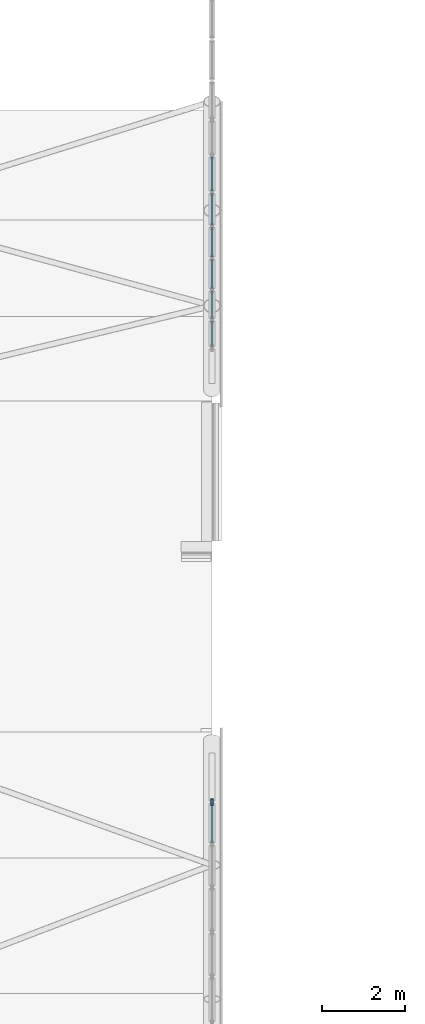
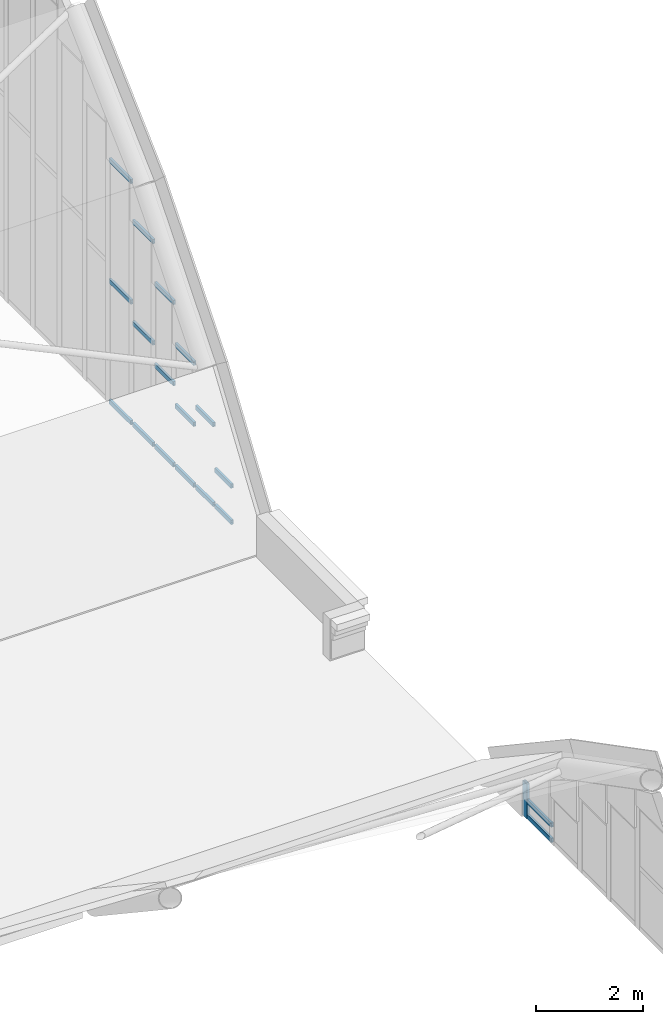
# One storey, part 48 of 77: 19 members, 2 elements without a shape of their own.
"""IFC4 building model written with IfcOpenShell, lengths in metres."""

from ifc_helpers import new_model, si_unit, direction, frame, origin, origin_2d, place, context, subcontext, project, spatial, hollow_rectangle, extrude, material, material_profile, profile_set, type_object, element, aggregate, save


model = new_model("IFC4")

# Units and contexts
model_context = context("Model", 3, precision=1e-05, world=origin(), true_north=direction((0.0, 1.0)))
body_context = subcontext(model_context, "Body", "Model", "MODEL_VIEW")
ifc_project = project(units=[si_unit("LENGTHUNIT", "METRE"), si_unit("AREAUNIT", "SQUARE_METRE"), si_unit("VOLUMEUNIT", "CUBIC_METRE"), si_unit("PLANEANGLEUNIT", "RADIAN"), si_unit("MASSUNIT", "GRAM", prefix="KILO")], contexts=[model_context])

# Site, building, storey
site_placement = place(None, origin())
site = spatial("IfcSite", under=ifc_project, at=site_placement, CompositionType="ELEMENT")
building_placement = place(site_placement, origin())
building = spatial("IfcBuilding", under=site, at=building_placement, Name="Catenary Quay Ferry Terminal", CompositionType="ELEMENT")
storey_placement = place(building_placement, frame((0.0, 0.0, 10.800048828125)))
storey = spatial("IfcBuildingStorey", under=building, at=storey_placement, Name="L02", CompositionType="ELEMENT", Elevation=10.800048828125)

# Curtain wall, members
ifc_material_1 = material(Name="Aluminium and glass", Category="aluminium")
curtain_wall_type = type_object("IfcCurtainWallType", Name="CWA", PredefinedType="NOTDEFINED", material=ifc_material_1)
curtain_wall_1_placement = place(storey_placement, origin())
curtain_wall_1 = element("IfcCurtainWall", 1, at=curtain_wall_1_placement, inside=storey, type_object=curtain_wall_type, Name="Arch arrivals hall curtain wall CW12", PredefinedType="NOTDEFINED")
ifc_material_2 = material(Name="Aluminium", Category="aluminium")
ifc_material_profile_1 = material_profile(ifc_material_2, hollow_rectangle(XDim=0.06005859375, YDim=0.159912109375, WallThickness=0.006103515625, at=origin_2d()), Name="MU5")
ifc_profile_set_1 = profile_set([ifc_material_profile_1], Name="Aluminium")
member_type_1 = type_object("IfcMemberType", Name="MU5", PredefinedType="MULLION", material=ifc_profile_set_1)
member_1_placement = place(storey_placement, frame((92.39990234375, 99.291015625, 0.0), z_axis=(0.0, 0.0, 1.0), x_axis=(-1.0, 0.0, 0.0)))
member_1 = element("IfcMember", 2, at=member_1_placement, type_object=member_type_1, Name="CW12 mullion 28", PredefinedType="MULLION", context=body_context, shape_type="SweptSolid", body=[
    extrude(hollow_rectangle(XDim=0.06005859375, YDim=0.159912109375, WallThickness=0.006103515625, at=origin_2d()), origin(), (0.0, 0.0, 1.0), 0.786376953125),
])
ifc_material_3 = material(Name="Aluminium", Category="aluminium")
ifc_material_profile_2 = material_profile(ifc_material_3, hollow_rectangle(XDim=0.050048828125, YDim=0.10009765625, WallThickness=0.00390625, at=origin_2d()), Name="TR4")
ifc_profile_set_2 = profile_set([ifc_material_profile_2], Name="Aluminium")
member_type_2 = type_object("IfcMemberType", Name="TR4", PredefinedType="USERDEFINED", material=ifc_profile_set_2)
member_2_placement = place(storey_placement, frame((92.39990234375, 98.31494140625, 0.050048828125), z_axis=(0.0, 1.0, 0.0), x_axis=(-1.0, 0.0, 0.0)))
member_2 = element("IfcMember", 3, at=member_2_placement, type_object=member_type_2, Name="CW12 transom 27.1", ObjectType="TRANSOM", PredefinedType="USERDEFINED", context=body_context, shape_type="SweptSolid", body=[
    extrude(hollow_rectangle(XDim=0.050048828125, YDim=0.10009765625, WallThickness=0.00390625, at=origin_2d()), origin(), (0.0, 0.0, 1.0), 0.946044921875),
])
member_3_placement = place(storey_placement, frame((92.39990234375, 98.31494140625, 0.396484375), z_axis=(0.0, 1.0, 0.0), x_axis=(-1.0, 0.0, 0.0)))
member_3 = element("IfcMember", 4, at=member_3_placement, type_object=member_type_2, Name="CW12 transom 27.2", ObjectType="TRANSOM", PredefinedType="USERDEFINED", context=body_context, shape_type="SweptSolid", body=[
    extrude(hollow_rectangle(XDim=0.050048828125, YDim=0.10009765625, WallThickness=0.00390625, at=origin_2d()), origin(), (0.0, 0.0, 1.0), 0.946044921875),
])
aggregate(curtain_wall_1, [member_1, member_2, member_3])

curtain_wall_2_placement = place(storey_placement, origin())
curtain_wall_2 = element("IfcCurtainWall", 5, at=curtain_wall_2_placement, inside=storey, type_object=curtain_wall_type, Name="Arch departure hall curtain wall CW21", PredefinedType="NOTDEFINED")
member_4_placement = place(storey_placement, frame((92.39990234375, 110.237548828125, 0.050048828125), z_axis=(0.0, 1.0, 0.0), x_axis=(-1.0, 0.0, 0.0)))
member_4 = element("IfcMember", 6, at=member_4_placement, type_object=member_type_2, Name="CW21 transom 1.1", ObjectType="TRANSOM", PredefinedType="USERDEFINED", context=body_context, shape_type="SweptSolid", body=[
    extrude(hollow_rectangle(XDim=0.050048828125, YDim=0.10009765625, WallThickness=0.00390625, at=origin_2d()), origin(), (0.0, 0.0, 1.0), 0.611572265625),
])
member_5_placement = place(storey_placement, frame((92.39990234375, 110.237548828125, 0.87548828125), z_axis=(0.0, 1.0, 0.0), x_axis=(-1.0, 0.0, 0.0)))
member_5 = element("IfcMember", 7, at=member_5_placement, type_object=member_type_2, Name="CW21 transom 1.2", ObjectType="TRANSOM", PredefinedType="USERDEFINED", context=body_context, shape_type="SweptSolid", body=[
    extrude(hollow_rectangle(XDim=0.050048828125, YDim=0.10009765625, WallThickness=0.00390625, at=origin_2d()), origin(), (0.0, 0.0, 1.0), 0.611572265625),
])
member_6_placement = place(storey_placement, frame((92.39990234375, 110.9091796875, 0.050048828125), z_axis=(0.0, 1.0, 0.0), x_axis=(-1.0, 0.0, 0.0)))
member_6 = element("IfcMember", 8, at=member_6_placement, type_object=member_type_2, Name="CW21 transom 2.1", ObjectType="TRANSOM", PredefinedType="USERDEFINED", context=body_context, shape_type="SweptSolid", body=[
    extrude(hollow_rectangle(XDim=0.050048828125, YDim=0.10009765625, WallThickness=0.00390625, at=origin_2d()), origin(), (0.0, 0.0, 1.0), 0.65771484375),
])
member_7_placement = place(storey_placement, frame((92.39990234375, 110.9091796875, 1.86572265625), z_axis=(0.0, 1.0, 0.0), x_axis=(-1.0, 0.0, 0.0)))
member_7 = element("IfcMember", 9, at=member_7_placement, type_object=member_type_2, Name="CW21 transom 2.2", ObjectType="TRANSOM", PredefinedType="USERDEFINED", context=body_context, shape_type="SweptSolid", body=[
    extrude(hollow_rectangle(XDim=0.050048828125, YDim=0.10009765625, WallThickness=0.00390625, at=origin_2d()), origin(), (0.0, 0.0, 1.0), 0.65771484375),
])
member_8_placement = place(storey_placement, frame((92.39990234375, 111.626953125, 0.050048828125), z_axis=(0.0, 1.0, 0.0), x_axis=(-1.0, 0.0, 0.0)))
member_8 = element("IfcMember", 10, at=member_8_placement, type_object=member_type_2, Name="CW21 transom 3.1", ObjectType="TRANSOM", PredefinedType="USERDEFINED", context=body_context, shape_type="SweptSolid", body=[
    extrude(hollow_rectangle(XDim=0.050048828125, YDim=0.10009765625, WallThickness=0.00390625, at=origin_2d()), origin(), (0.0, 0.0, 1.0), 0.7041015625),
])
member_9_placement = place(storey_placement, frame((92.39990234375, 111.626953125, 1.435791015625), z_axis=(0.0, 1.0, 0.0), x_axis=(-1.0, 0.0, 0.0)))
member_9 = element("IfcMember", 11, at=member_9_placement, type_object=member_type_2, Name="CW21 transom 3.2", ObjectType="TRANSOM", PredefinedType="USERDEFINED", context=body_context, shape_type="SweptSolid", body=[
    extrude(hollow_rectangle(XDim=0.050048828125, YDim=0.10009765625, WallThickness=0.00390625, at=origin_2d()), origin(), (0.0, 0.0, 1.0), 0.7041015625),
])
member_10_placement = place(storey_placement, frame((92.39990234375, 111.626953125, 2.821533203125), z_axis=(0.0, 1.0, 0.0), x_axis=(-1.0, 0.0, 0.0)))
member_10 = element("IfcMember", 12, at=member_10_placement, type_object=member_type_2, Name="CW21 transom 3.3", ObjectType="TRANSOM", PredefinedType="USERDEFINED", context=body_context, shape_type="SweptSolid", body=[
    extrude(hollow_rectangle(XDim=0.050048828125, YDim=0.10009765625, WallThickness=0.00390625, at=origin_2d()), origin(), (0.0, 0.0, 1.0), 0.7041015625),
])
member_11_placement = place(storey_placement, frame((92.39990234375, 112.39111328125, 0.050048828125), z_axis=(0.0, 1.0, 0.0), x_axis=(-1.0, 0.0, 0.0)))
member_11 = element("IfcMember", 13, at=member_11_placement, type_object=member_type_2, Name="CW21 transom 4.1", ObjectType="TRANSOM", PredefinedType="USERDEFINED", context=body_context, shape_type="SweptSolid", body=[
    extrude(hollow_rectangle(XDim=0.050048828125, YDim=0.10009765625, WallThickness=0.00390625, at=origin_2d()), origin(), (0.0, 0.0, 1.0), 0.703857421875),
])
member_12_placement = place(storey_placement, frame((92.39990234375, 112.39111328125, 1.896484375), z_axis=(0.0, 1.0, 0.0), x_axis=(-1.0, 0.0, 0.0)))
member_12 = element("IfcMember", 14, at=member_12_placement, type_object=member_type_2, Name="CW21 transom 4.2", ObjectType="TRANSOM", PredefinedType="USERDEFINED", context=body_context, shape_type="SweptSolid", body=[
    extrude(hollow_rectangle(XDim=0.050048828125, YDim=0.10009765625, WallThickness=0.00390625, at=origin_2d()), origin(), (0.0, 0.0, 1.0), 0.703857421875),
])
member_13_placement = place(storey_placement, frame((92.39990234375, 112.39111328125, 3.742919921875), z_axis=(0.0, 1.0, 0.0), x_axis=(-1.0, 0.0, 0.0)))
member_13 = element("IfcMember", 15, at=member_13_placement, type_object=member_type_2, Name="CW21 transom 4.3", ObjectType="TRANSOM", PredefinedType="USERDEFINED", context=body_context, shape_type="SweptSolid", body=[
    extrude(hollow_rectangle(XDim=0.050048828125, YDim=0.10009765625, WallThickness=0.00390625, at=origin_2d()), origin(), (0.0, 0.0, 1.0), 0.703857421875),
])
member_14_placement = place(storey_placement, frame((92.39990234375, 113.155029296875, 0.050048828125), z_axis=(0.0, 1.0, 0.0), x_axis=(-1.0, 0.0, 0.0)))
member_14 = element("IfcMember", 16, at=member_14_placement, type_object=member_type_2, Name="CW21 transom 5.1", ObjectType="TRANSOM", PredefinedType="USERDEFINED", context=body_context, shape_type="SweptSolid", body=[
    extrude(hollow_rectangle(XDim=0.050048828125, YDim=0.10009765625, WallThickness=0.00390625, at=origin_2d()), origin(), (0.0, 0.0, 1.0), 0.758544921875),
])
member_15_placement = place(storey_placement, frame((92.39990234375, 113.155029296875, 2.357177734375), z_axis=(0.0, 1.0, 0.0), x_axis=(-1.0, 0.0, 0.0)))
member_15 = element("IfcMember", 17, at=member_15_placement, type_object=member_type_2, Name="CW21 transom 5.2", ObjectType="TRANSOM", PredefinedType="USERDEFINED", context=body_context, shape_type="SweptSolid", body=[
    extrude(hollow_rectangle(XDim=0.050048828125, YDim=0.10009765625, WallThickness=0.00390625, at=origin_2d()), origin(), (0.0, 0.0, 1.0), 0.758544921875),
])
member_16_placement = place(storey_placement, frame((92.39990234375, 113.155029296875, 4.664306640625), z_axis=(0.0, 1.0, 0.0), x_axis=(-1.0, 0.0, 0.0)))
member_16 = element("IfcMember", 18, at=member_16_placement, type_object=member_type_2, Name="CW21 transom 5.3", ObjectType="TRANSOM", PredefinedType="USERDEFINED", context=body_context, shape_type="SweptSolid", body=[
    extrude(hollow_rectangle(XDim=0.050048828125, YDim=0.10009765625, WallThickness=0.00390625, at=origin_2d()), origin(), (0.0, 0.0, 1.0), 0.758544921875),
])
member_17_placement = place(storey_placement, frame((92.39990234375, 113.973388671875, 0.050048828125), z_axis=(0.0, 1.0, 0.0), x_axis=(-1.0, 0.0, 0.0)))
member_17 = element("IfcMember", 19, at=member_17_placement, type_object=member_type_2, Name="CW21 transom 6.1", ObjectType="TRANSOM", PredefinedType="USERDEFINED", context=body_context, shape_type="SweptSolid", body=[
    extrude(hollow_rectangle(XDim=0.050048828125, YDim=0.10009765625, WallThickness=0.00390625, at=origin_2d()), origin(), (0.0, 0.0, 1.0), 0.813232421875),
])
member_18_placement = place(storey_placement, frame((92.39990234375, 113.973388671875, 2.7919921875), z_axis=(0.0, 1.0, 0.0), x_axis=(-1.0, 0.0, 0.0)))
member_18 = element("IfcMember", 20, at=member_18_placement, type_object=member_type_2, Name="CW21 transom 6.2", ObjectType="TRANSOM", PredefinedType="USERDEFINED", context=body_context, shape_type="SweptSolid", body=[
    extrude(hollow_rectangle(XDim=0.050048828125, YDim=0.10009765625, WallThickness=0.00390625, at=origin_2d()), origin(), (0.0, 0.0, 1.0), 0.813232421875),
])
member_19_placement = place(storey_placement, frame((92.39990234375, 113.973388671875, 5.5341796875), z_axis=(0.0, 1.0, 0.0), x_axis=(-1.0, 0.0, 0.0)))
member_19 = element("IfcMember", 21, at=member_19_placement, type_object=member_type_2, Name="CW21 transom 6.3", ObjectType="TRANSOM", PredefinedType="USERDEFINED", context=body_context, shape_type="SweptSolid", body=[
    extrude(hollow_rectangle(XDim=0.050048828125, YDim=0.10009765625, WallThickness=0.00390625, at=origin_2d()), origin(), (0.0, 0.0, 1.0), 0.813232421875),
])
aggregate(curtain_wall_2, [member_4, member_5, member_6, member_7, member_8, member_9, member_10, member_11, member_12, member_13, member_14, member_15, member_16, member_17, member_18, member_19])

save(model, "model.ifc")
